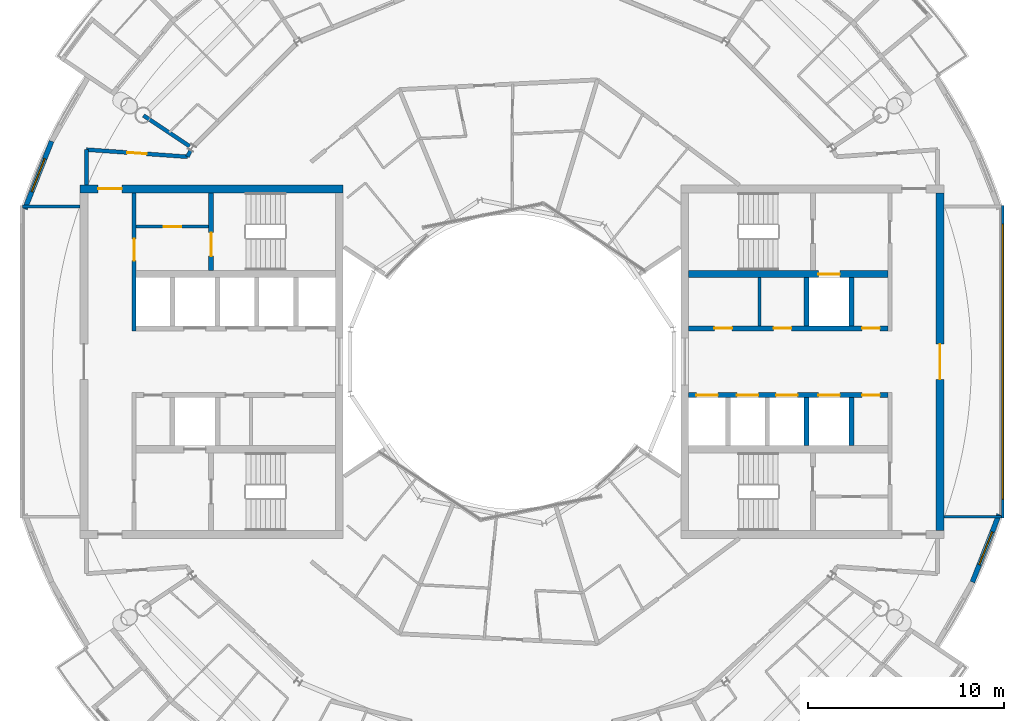
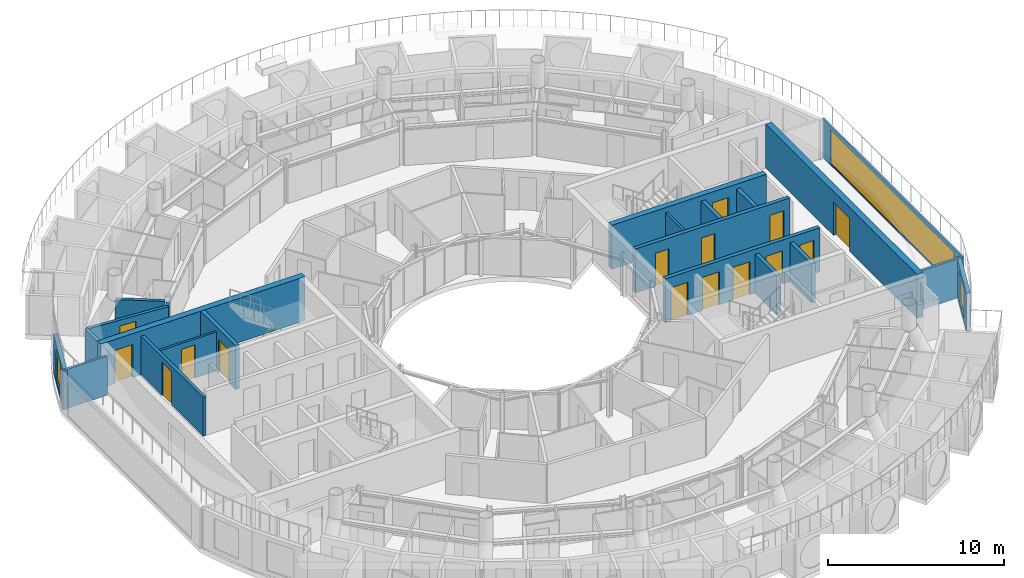
# One storey, part 17 of 25: 22 walls, 15 doors, 3 windows, 18 openings.
"""IFC4 building model written with IfcOpenShell, lengths in metres."""

from ifc_helpers import new_model, si_unit, direction, frame, frame_2d, origin, place, context, subcontext, project, spatial, rectangle, extrude, material, layer, layer_set, type_object, element, fill, save


model = new_model("IFC4")

# Units and contexts
model_context = context("Model", 3, precision=1e-05, world=origin(), true_north=direction((0.0, 1.0)))
body_context = subcontext(model_context, "Body", "Model", "MODEL_VIEW")
ifc_project = project(units=[si_unit("LENGTHUNIT", "METRE"), si_unit("AREAUNIT", "SQUARE_METRE"), si_unit("VOLUMEUNIT", "CUBIC_METRE"), si_unit("PLANEANGLEUNIT", "RADIAN"), si_unit("MASSUNIT", "GRAM", prefix="KILO")], contexts=[model_context])

# Site, building, storey
site_placement = place(None, origin())
site = spatial("IfcSite", under=ifc_project, at=site_placement, CompositionType="ELEMENT")
building_placement = place(site_placement, origin())
building = spatial("IfcBuilding", under=site, at=building_placement, Name="Maasbend Ring Residences", CompositionType="ELEMENT")
storey_placement = place(building_placement, frame((0.0, 0.0, 246.25)))
storey = spatial("IfcBuildingStorey", under=building, at=storey_placement, Name="L71", CompositionType="ELEMENT", Elevation=246.25)

# Wall, openings, doors
ifc_material_1 = material(Name="Concrete C50/60", Category="concrete")
ifc_layer_1 = layer(ifc_material_1, 0.25)
ifc_layer_set_1 = layer_set([ifc_layer_1], Name="Concrete C50/60")
wall_type_1 = type_object("IfcWallType", Name="CORE WALL 250 C50/60", PredefinedType="SHEAR", material=ifc_layer_set_1)
wall_1_placement = place(storey_placement, frame((9.0, 1.699951171875, 0.0), z_axis=(0.0, 0.0, 1.0), x_axis=(1.0, 0.0, 0.0)))
wall_1 = element("IfcWall", 1, at=wall_1_placement, inside=storey, type_object=wall_type_1, Name="L71 core E wall SPN", PredefinedType="SHEAR", context=body_context, shape_type="SweptSolid", body=[
    extrude(rectangle(XDim=10.14990234375, YDim=0.25, at=frame_2d((5.074951171875, 0.0))), origin(), (0.0, 0.0, 1.0), 3.050048828125),
])
opening_1_placement = place(wall_1_placement, frame((1.3125, 0.0, 0.0)))
opening_1 = element("IfcOpeningElement", 2, at=opening_1_placement, cuts=wall_1, Name="Opening D-E7106", PredefinedType="OPENING", context=body_context, shape_type="SweptSolid", body=[
    extrude(rectangle(XDim=0.89990234375, YDim=2.300048828125, at=frame_2d((0.449951171875, 1.14990234375))), frame((0.0, 0.135009765625, 0.0), z_axis=(0.0, -1.0, 0.0), x_axis=(1.0, 0.0, 0.0)), (0.0, 0.0, 1.0), 0.27001953125),
])
opening_2_placement = place(wall_1_placement, frame((4.324951171875, 0.0, 0.0)))
opening_2 = element("IfcOpeningElement", 3, at=opening_2_placement, cuts=wall_1, Name="Opening D-E7107", PredefinedType="OPENING", context=body_context, shape_type="SweptSolid", body=[
    extrude(rectangle(XDim=0.89990234375, YDim=2.300048828125, at=frame_2d((0.449951171875, 1.14990234375))), frame((0.0, 0.135009765625, 0.0), z_axis=(0.0, -1.0, 0.0), x_axis=(1.0, 0.0, 0.0)), (0.0, 0.0, 1.0), 0.27001953125),
])
opening_3_placement = place(wall_1_placement, frame((8.83740234375, 0.0, 0.0)))
opening_3 = element("IfcOpeningElement", 4, at=opening_3_placement, cuts=wall_1, Name="Opening D-E7108", PredefinedType="OPENING", context=body_context, shape_type="SweptSolid", body=[
    extrude(rectangle(XDim=0.89990234375, YDim=2.300048828125, at=frame_2d((0.449951171875, 1.14990234375))), frame((0.0, 0.135009765625, 0.0), z_axis=(0.0, -1.0, 0.0), x_axis=(1.0, 0.0, 0.0)), (0.0, 0.0, 1.0), 0.27001953125),
])
ifc_material_2 = material(Name="Steel, powder coated", Category="steel")
door_type_1 = type_object("IfcDoorType", Name="ROOM DOOR 900 X 2300 FD30S", OperationType="NOTDEFINED", PredefinedType="DOOR", material=ifc_material_2)
door_1_placement = place(opening_1_placement, origin())
door_1 = element("IfcDoor", 5, at=door_1_placement, inside=storey, type_object=door_type_1, Name="Room door L71", OperationType="SINGLE_SWING_RIGHT", OverallHeight=2.300048828125, OverallWidth=0.89990234375, PredefinedType="DOOR", context=body_context, shape_type="SweptSolid", body=[
    extrude(rectangle(XDim=0.89990234375, YDim=2.300048828125, at=frame_2d((0.449951171875, 1.14990234375))), frame((0.0, 0.02490234375, 0.0), z_axis=(0.0, -1.0, 0.0), x_axis=(1.0, 0.0, 0.0)), (0.0, 0.0, 1.0), 0.050048828125),
])
fill(opening_1, door_1)
door_2_placement = place(opening_2_placement, origin())
door_2 = element("IfcDoor", 6, at=door_2_placement, inside=storey, type_object=door_type_1, Name="Room door L71", OperationType="SINGLE_SWING_RIGHT", OverallHeight=2.300048828125, OverallWidth=0.89990234375, PredefinedType="DOOR", context=body_context, shape_type="SweptSolid", body=[
    extrude(rectangle(XDim=0.89990234375, YDim=2.300048828125, at=frame_2d((0.449951171875, 1.14990234375))), frame((0.0, 0.02490234375, 0.0), z_axis=(0.0, -1.0, 0.0), x_axis=(1.0, 0.0, 0.0)), (0.0, 0.0, 1.0), 0.050048828125),
])
fill(opening_2, door_2)
door_3_placement = place(opening_3_placement, origin())
door_3 = element("IfcDoor", 7, at=door_3_placement, inside=storey, type_object=door_type_1, Name="Room door L71", OperationType="SINGLE_SWING_LEFT", OverallHeight=2.300048828125, OverallWidth=0.89990234375, PredefinedType="DOOR", context=body_context, shape_type="SweptSolid", body=[
    extrude(rectangle(XDim=0.89990234375, YDim=2.300048828125, at=frame_2d((0.449951171875, 1.14990234375))), frame((0.0, 0.02490234375, 0.0), z_axis=(0.0, -1.0, 0.0), x_axis=(1.0, 0.0, 0.0)), (0.0, 0.0, 1.0), 0.050048828125),
])
fill(opening_3, door_3)

wall_2_placement = place(storey_placement, frame((19.14990234375, -1.699951171875, 0.0), z_axis=(0.0, 0.0, 1.0), x_axis=(-1.0, 0.0, 0.0)))
wall_2 = element("IfcWall", 8, at=wall_2_placement, inside=storey, type_object=wall_type_1, Name="L71 core E wall SPS", PredefinedType="SHEAR", context=body_context, shape_type="SweptSolid", body=[
    extrude(rectangle(XDim=10.14990234375, YDim=0.25, at=frame_2d((5.074951171875, 0.0))), origin(), (0.0, 0.0, 1.0), 3.050048828125),
])
opening_4_placement = place(wall_2_placement, frame((8.66259765625, 0.0, 0.0)))
opening_4 = element("IfcOpeningElement", 9, at=opening_4_placement, cuts=wall_2, Name="Opening LD-E7102", PredefinedType="OPENING", context=body_context, shape_type="SweptSolid", body=[
    extrude(rectangle(XDim=1.10009765625, YDim=2.300048828125, at=frame_2d((0.550048828125, 1.14990234375))), frame((0.0, 0.135009765625, 0.0), z_axis=(0.0, -1.0, 0.0), x_axis=(1.0, 0.0, 0.0)), (0.0, 0.0, 1.0), 0.27001953125),
])
opening_5_placement = place(wall_2_placement, frame((6.60009765625, 0.0, 0.0)))
opening_5 = element("IfcOpeningElement", 10, at=opening_5_placement, cuts=wall_2, Name="Opening LD-E7103", PredefinedType="OPENING", context=body_context, shape_type="SweptSolid", body=[
    extrude(rectangle(XDim=1.10009765625, YDim=2.300048828125, at=frame_2d((0.550048828125, 1.14990234375))), frame((0.0, 0.135009765625, 0.0), z_axis=(0.0, -1.0, 0.0), x_axis=(1.0, 0.0, 0.0)), (0.0, 0.0, 1.0), 0.27001953125),
])
opening_6_placement = place(wall_2_placement, frame((4.60009765625, 0.0, 0.0)))
opening_6 = element("IfcOpeningElement", 11, at=opening_6_placement, cuts=wall_2, Name="Opening LD-E7104", PredefinedType="OPENING", context=body_context, shape_type="SweptSolid", body=[
    extrude(rectangle(XDim=1.10009765625, YDim=2.300048828125, at=frame_2d((0.550048828125, 1.14990234375))), frame((0.0, 0.135009765625, 0.0), z_axis=(0.0, -1.0, 0.0), x_axis=(1.0, 0.0, 0.0)), (0.0, 0.0, 1.0), 0.27001953125),
])
opening_7_placement = place(wall_2_placement, frame((2.449951171875, 0.0, 0.0)))
opening_7 = element("IfcOpeningElement", 12, at=opening_7_placement, cuts=wall_2, Name="Opening LD-E7105", PredefinedType="OPENING", context=body_context, shape_type="SweptSolid", body=[
    extrude(rectangle(XDim=1.10009765625, YDim=2.300048828125, at=frame_2d((0.550048828125, 1.14990234375))), frame((0.0, 0.135009765625, 0.0), z_axis=(0.0, -1.0, 0.0), x_axis=(1.0, 0.0, 0.0)), (0.0, 0.0, 1.0), 0.27001953125),
])
opening_8_placement = place(wall_2_placement, frame((0.41259765625, 0.0, 0.0)))
opening_8 = element("IfcOpeningElement", 13, at=opening_8_placement, cuts=wall_2, Name="Opening D-E7109", PredefinedType="OPENING", context=body_context, shape_type="SweptSolid", body=[
    extrude(rectangle(XDim=0.89990234375, YDim=2.300048828125, at=frame_2d((0.449951171875, 1.14990234375))), frame((0.0, 0.135009765625, 0.0), z_axis=(0.0, -1.0, 0.0), x_axis=(1.0, 0.0, 0.0)), (0.0, 0.0, 1.0), 0.27001953125),
])
ifc_material_3 = material(Name="Stainless steel 316", Category="steel")
door_type_2 = type_object("IfcDoorType", Name="LANDING DOOR 1100 X 2300 FD60", OperationType="DOUBLE_DOOR_SLIDING", PredefinedType="DOOR", material=ifc_material_3)
door_4_placement = place(opening_4_placement, origin())
door_4 = element("IfcDoor", 14, at=door_4_placement, inside=storey, type_object=door_type_2, Name="Landing door HR-E1 L71", OperationType="DOUBLE_DOOR_SLIDING", OverallHeight=2.300048828125, OverallWidth=1.10009765625, PredefinedType="DOOR", context=body_context, shape_type="SweptSolid", body=[
    extrude(rectangle(XDim=1.10009765625, YDim=2.300048828125, at=frame_2d((0.550048828125, 1.14990234375))), frame((0.0, 0.02490234375, 0.0), z_axis=(0.0, -1.0, 0.0), x_axis=(1.0, 0.0, 0.0)), (0.0, 0.0, 1.0), 0.050048828125),
])
fill(opening_4, door_4)
door_5_placement = place(opening_5_placement, origin())
door_5 = element("IfcDoor", 15, at=door_5_placement, inside=storey, type_object=door_type_2, Name="Landing door HR-E2 L71", OperationType="DOUBLE_DOOR_SLIDING", OverallHeight=2.300048828125, OverallWidth=1.10009765625, PredefinedType="DOOR", context=body_context, shape_type="SweptSolid", body=[
    extrude(rectangle(XDim=1.10009765625, YDim=2.300048828125, at=frame_2d((0.550048828125, 1.14990234375))), frame((0.0, 0.02490234375, 0.0), z_axis=(0.0, -1.0, 0.0), x_axis=(1.0, 0.0, 0.0)), (0.0, 0.0, 1.0), 0.050048828125),
])
fill(opening_5, door_5)
door_6_placement = place(opening_6_placement, origin())
door_6 = element("IfcDoor", 16, at=door_6_placement, inside=storey, type_object=door_type_2, Name="Landing door HR-E3 L71", OperationType="DOUBLE_DOOR_SLIDING", OverallHeight=2.300048828125, OverallWidth=1.10009765625, PredefinedType="DOOR", context=body_context, shape_type="SweptSolid", body=[
    extrude(rectangle(XDim=1.10009765625, YDim=2.300048828125, at=frame_2d((0.550048828125, 1.14990234375))), frame((0.0, 0.02490234375, 0.0), z_axis=(0.0, -1.0, 0.0), x_axis=(1.0, 0.0, 0.0)), (0.0, 0.0, 1.0), 0.050048828125),
])
fill(opening_6, door_6)
door_7_placement = place(opening_7_placement, origin())
door_7 = element("IfcDoor", 17, at=door_7_placement, inside=storey, type_object=door_type_2, Name="Landing door SV-E L71", OperationType="DOUBLE_DOOR_SLIDING", OverallHeight=2.300048828125, OverallWidth=1.10009765625, PredefinedType="DOOR", context=body_context, shape_type="SweptSolid", body=[
    extrude(rectangle(XDim=1.10009765625, YDim=2.300048828125, at=frame_2d((0.550048828125, 1.14990234375))), frame((0.0, 0.02490234375, 0.0), z_axis=(0.0, -1.0, 0.0), x_axis=(1.0, 0.0, 0.0)), (0.0, 0.0, 1.0), 0.050048828125),
])
fill(opening_7, door_7)
door_8_placement = place(opening_8_placement, origin())
door_8 = element("IfcDoor", 18, at=door_8_placement, inside=storey, type_object=door_type_1, Name="Room door L71", OperationType="SINGLE_SWING_RIGHT", OverallHeight=2.300048828125, OverallWidth=0.89990234375, PredefinedType="DOOR", context=body_context, shape_type="SweptSolid", body=[
    extrude(rectangle(XDim=0.89990234375, YDim=2.300048828125, at=frame_2d((0.449951171875, 1.14990234375))), frame((0.0, 0.02490234375, 0.0), z_axis=(0.0, -1.0, 0.0), x_axis=(1.0, 0.0, 0.0)), (0.0, 0.0, 1.0), 0.050048828125),
])
fill(opening_8, door_8)

# Wall, opening, door
wall_3_placement = place(storey_placement, frame((-15.324951171875, 8.60009765625, 0.0), z_axis=(0.0, 0.0, 1.0), x_axis=(0.0, -1.0, 0.0)))
wall_3 = element("IfcWall", 19, at=wall_3_placement, inside=storey, type_object=wall_type_1, Name="L71 core W wall STES", PredefinedType="SHEAR", context=body_context, shape_type="SweptSolid", body=[
    extrude(rectangle(XDim=3.9501953125, YDim=0.25, at=frame_2d((1.97509765625, 0.0))), origin(), (0.0, 0.0, 1.0), 3.050048828125),
])
opening_9_placement = place(wall_3_placement, frame((2.02490234375, 0.0, 0.0)))
opening_9 = element("IfcOpeningElement", 20, at=opening_9_placement, cuts=wall_3, Name="Opening D-W7111", PredefinedType="OPENING", context=body_context, shape_type="SweptSolid", body=[
    extrude(rectangle(XDim=1.199951171875, YDim=2.300048828125, at=frame_2d((0.60009765625, 1.14990234375))), frame((0.0, 0.135009765625, 0.0), z_axis=(0.0, -1.0, 0.0), x_axis=(1.0, 0.0, 0.0)), (0.0, 0.0, 1.0), 0.27001953125),
])
ifc_material_4 = material(Name="Steel, powder coated", Category="steel")
door_type_3 = type_object("IfcDoorType", Name="STAIR DOOR 1200 X 2300 FD60", OperationType="NOTDEFINED", PredefinedType="DOOR", material=ifc_material_4)
door_9_placement = place(opening_9_placement, origin())
door_9 = element("IfcDoor", 21, at=door_9_placement, inside=storey, type_object=door_type_3, Name="Stair door ST-W L71", OperationType="SINGLE_SWING_LEFT", OverallHeight=2.300048828125, OverallWidth=1.199951171875, PredefinedType="DOOR", context=body_context, shape_type="SweptSolid", body=[
    extrude(rectangle(XDim=1.199951171875, YDim=2.300048828125, at=frame_2d((0.60009765625, 1.14990234375))), frame((0.0, 0.02490234375, 0.0), z_axis=(0.0, -1.0, 0.0), x_axis=(1.0, 0.0, 0.0)), (0.0, 0.0, 1.0), 0.050048828125),
])
fill(opening_9, door_9)

ifc_material_5 = material(Name="Concrete C50/60", Category="concrete")
ifc_layer_2 = layer(ifc_material_5, 0.375)
ifc_layer_set_2 = layer_set([ifc_layer_2], Name="Concrete C50/60")
wall_type_2 = type_object("IfcWallType", Name="CORE WALL 375 C50/60", PredefinedType="SHEAR", material=ifc_layer_set_2)
wall_4_placement = place(storey_placement, frame((9.0, 4.46240234375, 0.0), z_axis=(0.0, 0.0, 1.0), x_axis=(1.0, 0.0, 0.0)))
wall_4 = element("IfcWall", 22, at=wall_4_placement, inside=storey, type_object=wall_type_2, Name="L71 core E wall BN", PredefinedType="SHEAR", context=body_context, shape_type="SweptSolid", body=[
    extrude(rectangle(XDim=10.14990234375, YDim=0.375, at=frame_2d((5.074951171875, 0.0))), origin(), (0.0, 0.0, 1.0), 3.050048828125),
])
opening_10_placement = place(wall_4_placement, frame((6.60009765625, 0.0, 0.0)))
opening_10 = element("IfcOpeningElement", 23, at=opening_10_placement, cuts=wall_4, Name="Opening LD-E7101", PredefinedType="OPENING", context=body_context, shape_type="SweptSolid", body=[
    extrude(rectangle(XDim=1.10009765625, YDim=2.300048828125, at=frame_2d((0.550048828125, 1.14990234375))), frame((0.0, 0.197509765625, 0.0), z_axis=(0.0, -1.0, 0.0), x_axis=(1.0, 0.0, 0.0)), (0.0, 0.0, 1.0), 0.39501953125),
])
door_10_placement = place(opening_10_placement, origin())
door_10 = element("IfcDoor", 24, at=door_10_placement, inside=storey, type_object=door_type_2, Name="Landing door FF-E L71", OperationType="DOUBLE_DOOR_SLIDING", OverallHeight=2.300048828125, OverallWidth=1.10009765625, PredefinedType="DOOR", context=body_context, shape_type="SweptSolid", body=[
    extrude(rectangle(XDim=1.10009765625, YDim=2.300048828125, at=frame_2d((0.550048828125, 1.14990234375))), frame((0.0, 0.02490234375, 0.0), z_axis=(0.0, -1.0, 0.0), x_axis=(1.0, 0.0, 0.0)), (0.0, 0.0, 1.0), 0.050048828125),
])
fill(opening_10, door_10)

ifc_material_6 = material(Name="Concrete C50/60", Category="concrete")
ifc_layer_3 = layer(ifc_material_6, 0.39990234375)
ifc_layer_set_3 = layer_set([ifc_layer_3], Name="Concrete C50/60")
wall_type_3 = type_object("IfcWallType", Name="CORE WALL 400 C50/60", PredefinedType="SHEAR", material=ifc_layer_set_3)
wall_5_placement = place(storey_placement, frame((21.800048828125, 8.60009765625, 0.0), z_axis=(0.0, 0.0, 1.0), x_axis=(0.0, -1.0, 0.0)))
wall_5 = element("IfcWall", 25, at=wall_5_placement, inside=storey, type_object=wall_type_3, Name="L71 core E wall POUT", PredefinedType="SHEAR", context=body_context, shape_type="SweptSolid", body=[
    extrude(rectangle(XDim=17.2001953125, YDim=0.39990234375, at=frame_2d((8.60009765625, 0.0))), origin(), (0.0, 0.0, 1.0), 3.050048828125),
])
opening_11_placement = place(wall_5_placement, frame((7.699951171875, 0.0, 0.0)))
opening_11 = element("IfcOpeningElement", 26, at=opening_11_placement, cuts=wall_5, Name="Opening D-E7117", PredefinedType="OPENING", context=body_context, shape_type="SweptSolid", body=[
    extrude(rectangle(XDim=1.800048828125, YDim=2.300048828125, at=frame_2d((0.89990234375, 1.14990234375))), frame((0.0, 0.2099609375, 0.0), z_axis=(0.0, -1.0, 0.0), x_axis=(1.0, 0.0, 0.0)), (0.0, 0.0, 1.0), 0.419921875),
])
ifc_material_7 = material(Name="Aluminium frame, clear glass", Category="aluminium")
door_type_4 = type_object("IfcDoorType", Name="ENTRANCE DOOR 1800 X 2300 FD60", OperationType="NOTDEFINED", PredefinedType="DOOR", material=ifc_material_7)
door_11_placement = place(opening_11_placement, origin())
door_11 = element("IfcDoor", 27, at=door_11_placement, inside=storey, type_object=door_type_4, Name="Lobby glazed door L71", OperationType="SINGLE_SWING_LEFT", OverallHeight=2.300048828125, OverallWidth=1.800048828125, PredefinedType="DOOR", context=body_context, shape_type="SweptSolid", body=[
    extrude(rectangle(XDim=1.800048828125, YDim=2.300048828125, at=frame_2d((0.89990234375, 1.14990234375))), frame((0.0, 0.02490234375, 0.0), z_axis=(0.0, -1.0, 0.0), x_axis=(1.0, 0.0, 0.0)), (0.0, 0.0, 1.0), 0.050048828125),
])
fill(opening_11, door_11)

wall_6_placement = place(storey_placement, frame((-8.60009765625, 8.800048828125, 0.0), z_axis=(0.0, 0.0, 1.0), x_axis=(-1.0, 0.0, 0.0)))
wall_6 = element("IfcWall", 28, at=wall_6_placement, inside=storey, type_object=wall_type_3, Name="L71 core W wall PS", PredefinedType="SHEAR", context=body_context, shape_type="SweptSolid", body=[
    extrude(rectangle(XDim=13.39990234375, YDim=0.39990234375, at=frame_2d((6.699951171875, 0.0))), origin(), (0.0, 0.0, 1.0), 3.050048828125),
])
opening_12_placement = place(wall_6_placement, frame((11.27490234375, 0.0, 0.0)))
opening_12 = element("IfcOpeningElement", 29, at=opening_12_placement, cuts=wall_6, Name="Opening D-W7115", PredefinedType="OPENING", context=body_context, shape_type="SweptSolid", body=[
    extrude(rectangle(XDim=1.199951171875, YDim=2.300048828125, at=frame_2d((0.60009765625, 1.14990234375))), frame((0.0, 0.2099609375, 0.0), z_axis=(0.0, -1.0, 0.0), x_axis=(1.0, 0.0, 0.0)), (0.0, 0.0, 1.0), 0.419921875),
])
ifc_material_8 = material(Name="Steel, powder coated", Category="steel")
door_type_5 = type_object("IfcDoorType", Name="CORRIDOR DOOR 1200 X 2300 FD30S", OperationType="NOTDEFINED", PredefinedType="DOOR", material=ifc_material_8)
door_12_placement = place(opening_12_placement, origin())
door_12 = element("IfcDoor", 30, at=door_12_placement, inside=storey, type_object=door_type_5, Name="Corridor door L71", OperationType="SINGLE_SWING_LEFT", OverallHeight=2.300048828125, OverallWidth=1.199951171875, PredefinedType="DOOR", context=body_context, shape_type="SweptSolid", body=[
    extrude(rectangle(XDim=1.199951171875, YDim=2.300048828125, at=frame_2d((0.60009765625, 1.14990234375))), frame((0.0, 0.02490234375, 0.0), z_axis=(0.0, -1.0, 0.0), x_axis=(1.0, 0.0, 0.0)), (0.0, 0.0, 1.0), 0.050048828125),
])
fill(opening_12, door_12)

ifc_material_9 = material(Name="Concrete C30/37", Category="concrete")
ifc_layer_4 = layer(ifc_material_9, 0.199951171875)
ifc_layer_set_4 = layer_set([ifc_layer_4], Name="Concrete C30/37")
wall_type_4 = type_object("IfcWallType", Name="CORRIDOR WALL 200 CONCRETE", PredefinedType="PARTITIONING", material=ifc_layer_set_4)
wall_7_placement = place(storey_placement, frame((-21.675048828125, 10.800048828125, 0.0), z_axis=(0.0, 0.0, 1.0), x_axis=(0.997515141784, -0.070452408845, 0.0)))
wall_7 = element("IfcWall", 31, at=wall_7_placement, inside=storey, type_object=wall_type_4, Name="U-L71-w091", PredefinedType="PARTITIONING", context=body_context, shape_type="SweptSolid", body=[
    extrude(rectangle(XDim=5.15283203125, YDim=0.199951171875, at=frame_2d((2.576416015625, 0.0))), origin(), (0.0, 0.0, 1.0), 2.699951171875),
])
opening_13_placement = place(wall_7_placement, frame((2.075927734375, 0.0, 0.0)))
opening_13 = element("IfcOpeningElement", 32, at=opening_13_placement, cuts=wall_7, Name="Opening D-7167", PredefinedType="OPENING", context=body_context, shape_type="SweptSolid", body=[
    extrude(rectangle(XDim=1.0, YDim=2.300048828125, at=frame_2d((0.5, 1.14990234375))), frame((0.0, 0.10986328125, 0.0), z_axis=(0.0, -1.0, 0.0), x_axis=(1.0, 0.0, 0.0)), (0.0, 0.0, 1.0), 0.219970703125),
])
ifc_material_10 = material(Name="Timber, painted", Category="wood")
door_type_6 = type_object("IfcDoorType", Name="ROOM DOOR 1000 X 2300", OperationType="NOTDEFINED", PredefinedType="DOOR", material=ifc_material_10)
door_13_placement = place(opening_13_placement, origin())
door_13 = element("IfcDoor", 33, at=door_13_placement, inside=storey, type_object=door_type_6, Name="D-7167", OperationType="SINGLE_SWING_RIGHT", OverallHeight=2.300048828125, OverallWidth=1.0, PredefinedType="DOOR", context=body_context, shape_type="SweptSolid", body=[
    extrude(rectangle(XDim=1.0, YDim=2.300048828125, at=frame_2d((0.5, 1.14990234375))), frame((0.0, 0.02490234375, 0.0), z_axis=(0.0, -1.0, 0.0), x_axis=(1.0, 0.0, 0.0)), (0.0, 0.0, 1.0), 0.050048828125),
])
fill(opening_13, door_13)

# Walls
wall_8_placement = place(storey_placement, frame((-16.534912109375, 10.43701171875, 0.0), z_axis=(0.0, 0.0, 1.0), x_axis=(0.465802239822, 0.884888848035, 0.0)))
element("IfcWall", 34, at=wall_8_placement, inside=storey, type_object=wall_type_4, Name="U-L71-w107", PredefinedType="PARTITIONING", context=body_context, shape_type="SweptSolid", body=[
    extrude(rectangle(XDim=0.360595703125, YDim=0.199951171875, at=frame_2d((0.18017578125, 0.0))), origin(), (0.0, 0.0, 1.0), 2.699951171875),
])
wall_9_placement = place(storey_placement, frame((-21.675048828125, 9.0, 0.0), z_axis=(0.0, 0.0, 1.0), x_axis=(0.0, 1.0, 0.0)))
element("IfcWall", 35, at=wall_9_placement, inside=storey, type_object=wall_type_4, Name="U-L71-w120", PredefinedType="PARTITIONING", context=body_context, shape_type="SweptSolid", body=[
    extrude(rectangle(XDim=1.800048828125, YDim=0.199951171875, at=frame_2d((0.89990234375, 0.0))), origin(), (0.0, 0.0, 1.0), 2.699951171875),
])

# Wall, opening, window
ifc_material_11 = material(Name="Aluminium clad insulated panel", Category="aluminium")
ifc_layer_5 = layer(ifc_material_11, 0.25)
ifc_layer_set_5 = layer_set([ifc_layer_5], Name="EW-HORN")
wall_type_5 = type_object("IfcWallType", Name="EW-HORN", PredefinedType="SOLIDWALL", material=ifc_layer_set_5)
wall_10_placement = place(storey_placement, frame((23.451904296875, -11.22607421875, 0.0), z_axis=(0.0, 0.0, 1.0), x_axis=(0.366351636034, 0.930476479432, 0.0)))
wall_10 = element("IfcWall", 36, at=wall_10_placement, inside=storey, type_object=wall_type_5, Name="Horn wall 2.2", PredefinedType="SOLIDWALL", context=body_context, shape_type="SweptSolid", body=[
    extrude(rectangle(XDim=3.70458984375, YDim=0.25, at=frame_2d((1.852294921875, 0.0))), origin(), (0.0, 0.0, 1.0), 2.699951171875),
])
opening_14_placement = place(wall_10_placement, frame((0.952392578125, 0.0, 0.300048828125)))
opening_14 = element("IfcOpeningElement", 37, at=opening_14_placement, cuts=wall_10, Name="Opening W-BX", PredefinedType="OPENING", context=body_context, shape_type="SweptSolid", body=[
    extrude(rectangle(XDim=1.800048828125, YDim=2.10009765625, at=frame_2d((0.89990234375, 1.050048828125))), frame((0.0, 0.135009765625, 0.0), z_axis=(0.0, -1.0, 0.0), x_axis=(1.0, 0.0, 0.0)), (0.0, 0.0, 1.0), 0.27001953125),
])
ifc_material_12 = material(Name="Aluminium and clear glass", Category="aluminium")
window_type_1 = type_object("IfcWindowType", Name="W-BX", PartitioningType="DOUBLE_PANEL_VERTICAL", PredefinedType="WINDOW", material=ifc_material_12)
window_1_placement = place(opening_14_placement, origin())
window_1 = element("IfcWindow", 38, at=window_1_placement, inside=storey, type_object=window_type_1, Name="Horn window 2.2", OverallHeight=2.10009765625, OverallWidth=1.800048828125, PartitioningType="SINGLE_PANEL", PredefinedType="WINDOW", context=body_context, shape_type="SweptSolid", body=[
    extrude(rectangle(XDim=1.800048828125, YDim=2.10009765625, at=frame_2d((0.89990234375, 1.050048828125))), frame((0.0, 0.030029296875, 0.0), z_axis=(0.0, -1.0, 0.0), x_axis=(1.0, 0.0, 0.0)), (0.0, 0.0, 1.0), 0.06005859375),
])
fill(opening_14, window_1)

wall_11_placement = place(storey_placement, frame((-23.451904296875, 11.22607421875, 0.0), z_axis=(0.0, 0.0, 1.0), x_axis=(-0.366351636034, -0.930476479432, 0.0)))
wall_11 = element("IfcWall", 39, at=wall_11_placement, inside=storey, type_object=wall_type_5, Name="Horn wall 4.2", PredefinedType="SOLIDWALL", context=body_context, shape_type="SweptSolid", body=[
    extrude(rectangle(XDim=3.70458984375, YDim=0.25, at=frame_2d((1.852294921875, 0.0))), origin(), (0.0, 0.0, 1.0), 2.699951171875),
])
opening_15_placement = place(wall_11_placement, frame((0.952392578125, 0.0, 0.300048828125)))
opening_15 = element("IfcOpeningElement", 40, at=opening_15_placement, cuts=wall_11, Name="Opening W-BX", PredefinedType="OPENING", context=body_context, shape_type="SweptSolid", body=[
    extrude(rectangle(XDim=1.800048828125, YDim=2.10009765625, at=frame_2d((0.89990234375, 1.050048828125))), frame((0.0, 0.135009765625, 0.0), z_axis=(0.0, -1.0, 0.0), x_axis=(1.0, 0.0, 0.0)), (0.0, 0.0, 1.0), 0.27001953125),
])
window_2_placement = place(opening_15_placement, origin())
window_2 = element("IfcWindow", 41, at=window_2_placement, inside=storey, type_object=window_type_1, Name="Horn window 4.2", OverallHeight=2.10009765625, OverallWidth=1.800048828125, PartitioningType="SINGLE_PANEL", PredefinedType="WINDOW", context=body_context, shape_type="SweptSolid", body=[
    extrude(rectangle(XDim=1.800048828125, YDim=2.10009765625, at=frame_2d((0.89990234375, 1.050048828125))), frame((0.0, 0.030029296875, 0.0), z_axis=(0.0, -1.0, 0.0), x_axis=(1.0, 0.0, 0.0)), (0.0, 0.0, 1.0), 0.06005859375),
])
fill(opening_15, window_2)

ifc_material_13 = material(Name="Aluminium frame and clear glass", Category="aluminium")
ifc_layer_6 = layer(ifc_material_13, 0.1201171875)
ifc_layer_set_6 = layer_set([ifc_layer_6], Name="GLAZED SCREEN WALL 120 EI 60")
wall_type_6 = type_object("IfcWallType", Name="GLAZED SCREEN WALL 120 EI 60", PredefinedType="PARTITIONING", material=ifc_layer_set_6)
wall_12_placement = place(storey_placement, frame((25.0, -7.949951171875, 0.0), z_axis=(0.0, 0.0, 1.0), x_axis=(0.0, 1.0, 0.0)))
wall_12 = element("IfcWall", 42, at=wall_12_placement, inside=storey, type_object=wall_type_6, Name="L71 core E wall FACE", PredefinedType="PARTITIONING", context=body_context, shape_type="SweptSolid", body=[
    extrude(rectangle(XDim=15.89990234375, YDim=0.1201171875, at=frame_2d((7.949951171875, 0.0))), origin(), (0.0, 0.0, 1.0), 2.699951171875),
])
opening_16_placement = place(wall_12_placement, frame((0.949951171875, 0.0, 0.10009765625)))
opening_16 = element("IfcOpeningElement", 43, at=opening_16_placement, cuts=wall_12, Name="Opening W-E7102", PredefinedType="OPENING", context=body_context, shape_type="SweptSolid", body=[
    extrude(rectangle(XDim=14.0, YDim=2.35009765625, at=frame_2d((7.0, 1.175048828125))), frame((0.0, 0.070068359375, 0.0), z_axis=(0.0, -1.0, 0.0), x_axis=(1.0, 0.0, 0.0)), (0.0, 0.0, 1.0), 0.14013671875),
])
ifc_material_14 = material(Name="Aluminium frame and clear glass", Category="aluminium")
window_type_2 = type_object("IfcWindowType", Name="FIXED WINDOW 14000 X 2350", PartitioningType="SINGLE_PANEL", PredefinedType="WINDOW", material=ifc_material_14)
window_3_placement = place(opening_16_placement, origin())
window_3 = element("IfcWindow", 44, at=window_3_placement, inside=storey, type_object=window_type_2, Name="Lobby window L71", OverallHeight=2.35009765625, OverallWidth=14.0, PartitioningType="SINGLE_PANEL", PredefinedType="WINDOW", context=body_context, shape_type="SweptSolid", body=[
    extrude(rectangle(XDim=14.0, YDim=2.35009765625, at=frame_2d((7.0, 1.175048828125))), frame((0.0, 0.030029296875, 0.0), z_axis=(0.0, -1.0, 0.0), x_axis=(1.0, 0.0, 0.0)), (0.0, 0.0, 1.0), 0.06005859375),
])
fill(opening_16, window_3)

# Walls
ifc_material_15 = material(Name="Gypsum board on steel studs", Category="steel")
ifc_layer_7 = layer(ifc_material_15, 0.14990234375)
ifc_layer_set_7 = layer_set([ifc_layer_7], Name="PARTITION 150 EI 60")
wall_type_7 = type_object("IfcWallType", Name="PARTITION 150 EI 60", PredefinedType="PARTITIONING", material=ifc_layer_set_7)
wall_13_placement = place(storey_placement, frame((12.60009765625, 1.824951171875, 0.0), z_axis=(0.0, 0.0, 1.0), x_axis=(0.0, 1.0, 0.0)))
element("IfcWall", 45, at=wall_13_placement, inside=storey, type_object=wall_type_7, Name="L71 core E wall PRN1260", PredefinedType="PARTITIONING", context=body_context, shape_type="SweptSolid", body=[
    extrude(rectangle(XDim=2.449951171875, YDim=0.14990234375, at=frame_2d((1.22509765625, 0.0))), origin(), (0.0, 0.0, 1.0), 2.699951171875),
])
wall_14_placement = place(storey_placement, frame((22.0, -7.89990234375, 0.0), z_axis=(0.0, 0.0, 1.0), x_axis=(1.0, 0.0, 0.0)))
element("IfcWall", 46, at=wall_14_placement, inside=storey, type_object=wall_type_7, Name="L71 core E wall CITS", PredefinedType="PARTITIONING", context=body_context, shape_type="SweptSolid", body=[
    extrude(rectangle(XDim=2.93994140625, YDim=0.14990234375, at=frame_2d((1.469970703125, 0.0))), origin(), (0.0, 0.0, 1.0), 2.699951171875),
])

# Wall, opening, door
wall_15_placement = place(storey_placement, frame((-15.449951171875, 6.875, 0.0), z_axis=(0.0, 0.0, 1.0), x_axis=(-1.0, 0.0, 0.0)))
wall_15 = element("IfcWall", 47, at=wall_15_placement, inside=storey, type_object=wall_type_7, Name="L71 core W wall RHS", PredefinedType="PARTITIONING", context=body_context, shape_type="SweptSolid", body=[
    extrude(rectangle(XDim=3.699951171875, YDim=0.14990234375, at=frame_2d((1.85009765625, 0.0))), origin(), (0.0, 0.0, 1.0), 2.699951171875),
])
opening_17_placement = place(wall_15_placement, frame((1.39990234375, 0.0, 0.0)))
opening_17 = element("IfcOpeningElement", 48, at=opening_17_placement, cuts=wall_15, Name="Opening D-W7109", PredefinedType="OPENING", context=body_context, shape_type="SweptSolid", body=[
    extrude(rectangle(XDim=0.89990234375, YDim=2.300048828125, at=frame_2d((0.449951171875, 1.14990234375))), frame((0.0, 0.0849609375, 0.0), z_axis=(0.0, -1.0, 0.0), x_axis=(1.0, 0.0, 0.0)), (0.0, 0.0, 1.0), 0.169921875),
])
ifc_material_16 = material(Name="Steel, powder coated", Category="steel")
door_type_7 = type_object("IfcDoorType", Name="RISER DOOR 900 X 2300 FD60", OperationType="NOTDEFINED", PredefinedType="DOOR", material=ifc_material_16)
door_14_placement = place(opening_17_placement, origin())
door_14 = element("IfcDoor", 49, at=door_14_placement, inside=storey, type_object=door_type_7, Name="Riser door L71", OperationType="SINGLE_SWING_LEFT", OverallHeight=2.300048828125, OverallWidth=0.89990234375, PredefinedType="DOOR", context=body_context, shape_type="SweptSolid", body=[
    extrude(rectangle(XDim=0.89990234375, YDim=2.300048828125, at=frame_2d((0.449951171875, 1.14990234375))), frame((0.0, 0.02490234375, 0.0), z_axis=(0.0, -1.0, 0.0), x_axis=(1.0, 0.0, 0.0)), (0.0, 0.0, 1.0), 0.050048828125),
])
fill(opening_17, door_14)

# Walls
wall_16_placement = place(storey_placement, frame((-22.0, 7.89990234375, 0.0), z_axis=(0.0, 0.0, 1.0), x_axis=(-1.0, 0.0, 0.0)))
element("IfcWall", 50, at=wall_16_placement, inside=storey, type_object=wall_type_7, Name="L71 core W wall CITS", PredefinedType="PARTITIONING", context=body_context, shape_type="SweptSolid", body=[
    extrude(rectangle(XDim=2.93994140625, YDim=0.14990234375, at=frame_2d((1.469970703125, 0.0))), origin(), (0.0, 0.0, 1.0), 2.699951171875),
])
ifc_material_17 = material(Name="Concrete C30/37", Category="concrete")
ifc_layer_8 = layer(ifc_material_17, 0.199951171875)
ifc_layer_set_8 = layer_set([ifc_layer_8], Name="Concrete C30/37")
wall_type_8 = type_object("IfcWallType", Name="PARTY WALL 200 CONCRETE", PredefinedType="PARTITIONING", material=ifc_layer_set_8)
wall_17_placement = place(storey_placement, frame((-18.76904296875, 12.541015625, 0.0), z_axis=(0.0, 0.0, 1.0), x_axis=(0.83131782921, -0.555797325324, 0.0)))
element("IfcWall", 51, at=wall_17_placement, inside=storey, type_object=wall_type_8, Name="U-L71-w034", PredefinedType="PARTITIONING", context=body_context, shape_type="SweptSolid", body=[
    extrude(rectangle(XDim=2.8232421875, YDim=0.199951171875, at=frame_2d((1.41162109375, 0.0))), origin(), (0.0, 0.0, 1.0), 2.699951171875),
])

# Wall, opening, door
ifc_material_18 = material(Name="Concrete C30/37", Category="concrete")
ifc_layer_9 = layer(ifc_material_18, 0.199951171875)
ifc_layer_set_9 = layer_set([ifc_layer_9], Name="Concrete C30/37")
wall_type_9 = type_object("IfcWallType", Name="SHAFT WALL 200 EI 120", PredefinedType="SOLIDWALL", material=ifc_layer_set_9)
wall_18_placement = place(storey_placement, frame((-19.25, 8.60009765625, 0.0), z_axis=(0.0, 0.0, 1.0), x_axis=(0.0, -1.0, 0.0)))
wall_18 = element("IfcWall", 52, at=wall_18_placement, inside=storey, type_object=wall_type_9, Name="L71 core W wall ENDS", PredefinedType="SOLIDWALL", context=body_context, shape_type="SweptSolid", body=[
    extrude(rectangle(XDim=7.025146484375, YDim=0.199951171875, at=frame_2d((3.5126953125, 0.0))), origin(), (0.0, 0.0, 1.0), 2.699951171875),
])
opening_18_placement = place(wall_18_placement, frame((2.35009765625, 0.0, 0.0)))
opening_18 = element("IfcOpeningElement", 53, at=opening_18_placement, cuts=wall_18, Name="Opening D-W7113", PredefinedType="OPENING", context=body_context, shape_type="SweptSolid", body=[
    extrude(rectangle(XDim=1.10009765625, YDim=2.300048828125, at=frame_2d((0.550048828125, 1.14990234375))), frame((0.0, 0.10986328125, 0.0), z_axis=(0.0, -1.0, 0.0), x_axis=(1.0, 0.0, 0.0)), (0.0, 0.0, 1.0), 0.219970703125),
])
ifc_material_19 = material(Name="Steel, powder coated", Category="steel")
door_type_8 = type_object("IfcDoorType", Name="LOBBY DOOR 1100 X 2300 FD60", OperationType="NOTDEFINED", PredefinedType="DOOR", material=ifc_material_19)
door_15_placement = place(opening_18_placement, origin())
door_15 = element("IfcDoor", 54, at=door_15_placement, inside=storey, type_object=door_type_8, Name="Lobby door L71", OperationType="SINGLE_SWING_RIGHT", OverallHeight=2.300048828125, OverallWidth=1.10009765625, PredefinedType="DOOR", context=body_context, shape_type="SweptSolid", body=[
    extrude(rectangle(XDim=1.10009765625, YDim=2.300048828125, at=frame_2d((0.550048828125, 1.14990234375))), frame((0.0, 0.02490234375, 0.0), z_axis=(0.0, -1.0, 0.0), x_axis=(1.0, 0.0, 0.0)), (0.0, 0.0, 1.0), 0.050048828125),
])
fill(opening_18, door_15)

# Walls
ifc_material_20 = material(Name="Concrete C30/37", Category="concrete")
ifc_layer_10 = layer(ifc_material_20, 0.25)
ifc_layer_set_10 = layer_set([ifc_layer_10], Name="Concrete C30/37")
wall_type_10 = type_object("IfcWallType", Name="SHAFT WALL 250 EI 120", PredefinedType="SOLIDWALL", material=ifc_layer_set_10)
for number, where, z_axis, x_axis, name in (
    (55, (15.0, 1.824951171875, 0.0), (0.0, 0.0, 1.0), (0.0, 1.0, 0.0), "L71 core E wall D150N"),
    (56, (17.300048828125, 1.824951171875, 0.0), (0.0, 0.0, 1.0), (0.0, 1.0, 0.0), "L71 core E wall D173N"),
    (57, (15.0, -1.824951171875, 0.0), (0.0, 0.0, 1.0), (0.0, -1.0, 0.0), "L71 core E wall D150S"),
    (58, (17.300048828125, -1.824951171875, 0.0), (0.0, 0.0, 1.0), (0.0, -1.0, 0.0), "L71 core E wall D173S"),
):
    element("IfcWall", number, at=place(storey_placement, frame(where, z_axis=z_axis, x_axis=x_axis)), inside=storey, type_object=wall_type_10, Name=name, PredefinedType="SOLIDWALL", context=body_context, shape_type="SweptSolid", body=[
        extrude(rectangle(XDim=2.449951171875, YDim=0.25, at=frame_2d((1.22509765625, 0.0))), origin(), (0.0, 0.0, 1.0), 2.699951171875),
    ])

save(model, "model.ifc")
